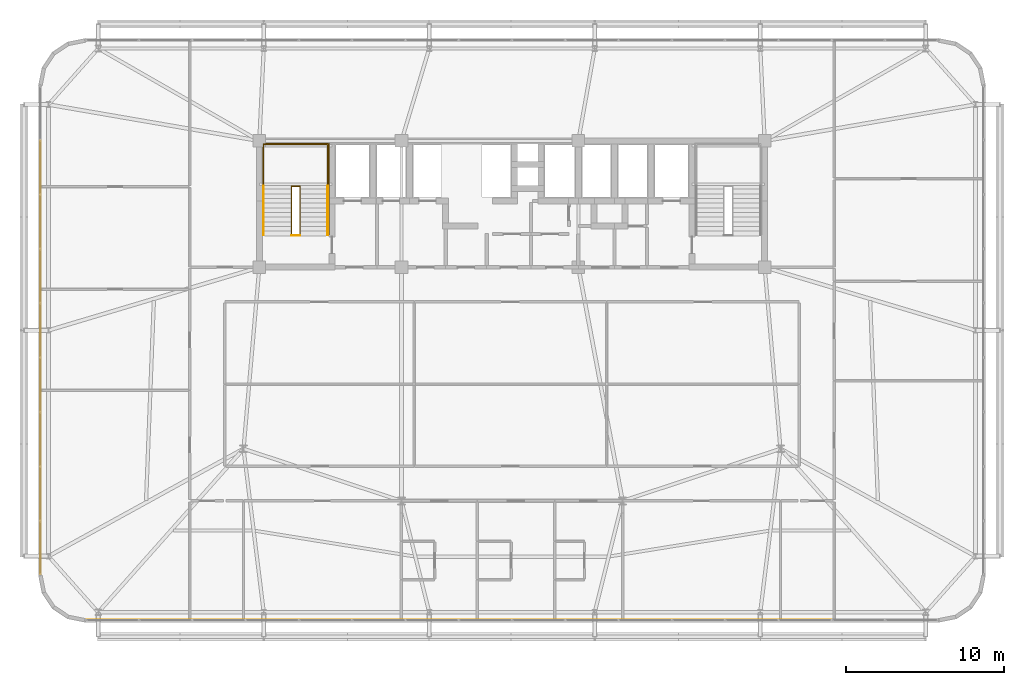
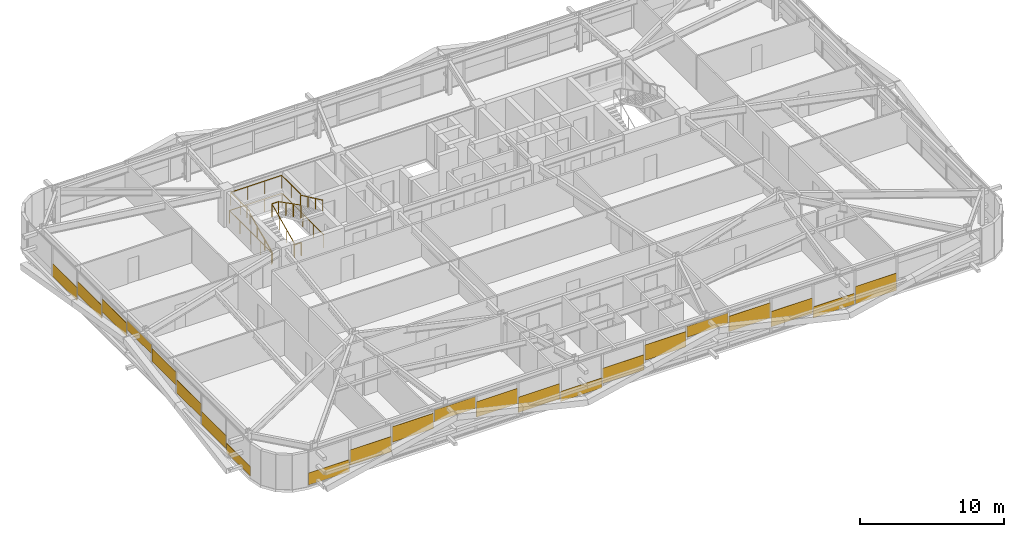
# One storey, part 57 of 59: 22 coverings, 6 railings.
"""IFC4 building model written with IfcOpenShell, lengths in metres."""

from ifc_helpers import new_model, si_unit, direction, frame, origin, origin_2d, place, context, subcontext, project, spatial, rectangle, extrude, source, transform, mapped, material, layer, layer_set, type_object, element, save


model = new_model("IFC4")

# Units and contexts
model_context = context("Model", 3, precision=1e-05, world=origin(), true_north=direction((0.0, 1.0)))
body_context = subcontext(model_context, "Body", "Model", "MODEL_VIEW")
ifc_project = project(units=[si_unit("LENGTHUNIT", "METRE"), si_unit("AREAUNIT", "SQUARE_METRE"), si_unit("VOLUMEUNIT", "CUBIC_METRE"), si_unit("PLANEANGLEUNIT", "RADIAN"), si_unit("MASSUNIT", "GRAM", prefix="KILO")], contexts=[model_context])

# Site, building, storey
site_placement = place(None, origin())
site = spatial("IfcSite", under=ifc_project, at=site_placement, CompositionType="ELEMENT")
building_placement = place(site_placement, origin())
building = spatial("IfcBuilding", under=site, at=building_placement, Name="Taldren Reach Tower", CompositionType="ELEMENT")
storey_placement = place(building_placement, frame((0.0, 0.0, 48.300048828125)))
storey = spatial("IfcBuildingStorey", under=building, at=storey_placement, Name="L14", CompositionType="ELEMENT", Elevation=48.300048828125)

# Railings
ifc_material_1 = material(Name="Steel Gr 350 (C350L0)", Category="steel")
ifc_layer_1 = layer(ifc_material_1, 0.050048828125)
ifc_layer_set_1 = layer_set([ifc_layer_1], Name="Steel Gr 350 (C350L0)")
railing_type_1 = type_object("IfcRailingType", Name="RL-STAIR-GR", PredefinedType="GUARDRAIL", material=ifc_layer_set_1)
railing_1_placement = place(storey_placement, frame((19.260009765625, 29.135009765625, 1.574951171875)))
element("IfcRailing", 1, at=railing_1_placement, inside=storey, type_object=railing_type_1, Name="Stair half-landing perimeter guard ST1-L14", PredefinedType="GUARDRAIL", context=body_context, shape_type="SweptSolid", body=[
    extrude(rectangle(XDim=0.047852, YDim=0.047852, at=origin_2d()), frame((0.0, 0.0, 1.09619140625), z_axis=(0.0, 1.0, 0.0), x_axis=(-1.0, 0.0, 0.0)), (0.0, 0.0, 1.0), 2.64501953125),
    extrude(rectangle(XDim=0.047852, YDim=0.047852, at=origin_2d()), frame((0.0, 2.64501953125, 1.09619140625), z_axis=(1.0, 0.0, 0.0), x_axis=(0.0, 1.0, 0.0)), (0.0, 0.0, 1.0), 4.080078125),
    extrude(rectangle(XDim=0.047852, YDim=0.047852, at=origin_2d()), frame((4.080078125, 2.64501953125, 1.09619140625), z_axis=(0.0, -1.0, 0.0), x_axis=(1.0, 0.0, 0.0)), (0.0, 0.0, 1.0), 2.64501953125),
    extrude(rectangle(XDim=0.041992, YDim=0.041992, at=origin_2d()), origin(), (0.0, 0.0, 1.0), 1.072021484375),
    extrude(rectangle(XDim=0.041992, YDim=0.041992, at=origin_2d()), frame((0.0, 1.322509765625, 0.0)), (0.0, 0.0, 1.0), 1.072021484375),
    extrude(rectangle(XDim=0.041992, YDim=0.041992, at=origin_2d()), frame((0.0, 2.64501953125, 0.0)), (0.0, 0.0, 1.0), 1.072021484375),
    extrude(rectangle(XDim=0.041992, YDim=0.041992, at=origin_2d()), frame((1.360107421875, 2.64501953125, 0.0)), (0.0, 0.0, 1.0), 1.072021484375),
    extrude(rectangle(XDim=0.041992, YDim=0.041992, at=origin_2d()), frame((2.719970703125, 2.64501953125, 0.0)), (0.0, 0.0, 1.0), 1.072021484375),
    extrude(rectangle(XDim=0.041992, YDim=0.041992, at=origin_2d()), frame((4.080078125, 2.64501953125, 0.0)), (0.0, 0.0, 1.0), 1.072021484375),
    extrude(rectangle(XDim=0.041992, YDim=0.041992, at=origin_2d()), frame((4.080078125, 1.322509765625, 0.0)), (0.0, 0.0, 1.0), 1.072021484375),
    extrude(rectangle(XDim=0.041992, YDim=0.041992, at=origin_2d()), frame((4.080078125, 0.0, 0.0)), (0.0, 0.0, 1.0), 1.072021484375),
])
railing_2_placement = place(storey_placement, frame((21.030029296875, 26.050048828125, 0.131103515625)))
element("IfcRailing", 2, at=railing_2_placement, inside=storey, type_object=railing_type_1, Name="Stairwell inner guard ST1-L14", PredefinedType="GUARDRAIL", context=body_context, shape_type="SweptSolid", body=[
    extrude(rectangle(XDim=0.047852, YDim=0.047852, at=origin_2d()), frame((0.0, 0.0, 1.09619140625), z_axis=(0.0, 0.905710134349, 0.423897573167), x_axis=(-1.0, 0.0, 0.0)), (0.0, 0.0, 1.0), 3.406005859375),
    extrude(rectangle(XDim=0.047852, YDim=0.047852, at=origin_2d()), frame((0.0, 3.0849609375, 2.5400390625), z_axis=(1.0, 0.0, 0.0), x_axis=(0.0, 1.0, 0.0)), (0.0, 0.0, 1.0), 0.5400390625),
    extrude(rectangle(XDim=0.047852, YDim=0.047852, at=origin_2d()), frame((0.5400390625, 3.0849609375, 2.5400390625), z_axis=(0.0, -0.890645957773, 0.45469745755), x_axis=(1.0, 0.0, 0.0)), (0.0, 0.0, 1.0), 3.463623046875),
    extrude(rectangle(XDim=0.041992, YDim=0.041992, at=origin_2d()), origin(), (0.0, 0.0, 1.0), 1.072021484375),
    extrude(rectangle(XDim=0.041992, YDim=0.041992, at=origin_2d()), frame((0.0, 1.0283203125, 0.481201171875)), (0.0, 0.0, 1.0), 1.072021484375),
    extrude(rectangle(XDim=0.041992, YDim=0.041992, at=origin_2d()), frame((0.0, 2.056640625, 0.962646484375)), (0.0, 0.0, 1.0), 1.072021484375),
    extrude(rectangle(XDim=0.041992, YDim=0.041992, at=origin_2d()), frame((0.0, 3.0849609375, 1.44384765625)), (0.0, 0.0, 1.0), 1.072021484375),
    extrude(rectangle(XDim=0.041992, YDim=0.041992, at=origin_2d()), frame((0.5400390625, 3.0849609375, 1.44384765625)), (0.0, 0.0, 1.0), 1.072021484375),
    extrude(rectangle(XDim=0.041992, YDim=0.041992, at=origin_2d()), frame((0.5400390625, 2.056640625, 1.96875)), (0.0, 0.0, 1.0), 1.072021484375),
    extrude(rectangle(XDim=0.041992, YDim=0.041992, at=origin_2d()), frame((0.5400390625, 1.0283203125, 2.493896484375)), (0.0, 0.0, 1.0), 1.072021484375),
    extrude(rectangle(XDim=0.041992, YDim=0.041992, at=origin_2d()), frame((0.5400390625, 0.0, 3.018798828125)), (0.0, 0.0, 1.0), 1.072021484375),
])
railing_3_placement = place(storey_placement, frame((21.030029296875, 26.010009765625, 0.0)))
element("IfcRailing", 3, at=railing_3_placement, inside=storey, type_object=railing_type_1, Name="Stairwell landing slot guard ST1-L14", PredefinedType="GUARDRAIL", context=body_context, shape_type="SweptSolid", body=[
    extrude(rectangle(XDim=0.047852, YDim=0.047852, at=origin_2d()), frame((0.0, 0.0, 1.09619140625), z_axis=(1.0, 0.0, 0.0), x_axis=(0.0, 1.0, 0.0)), (0.0, 0.0, 1.0), 0.5400390625),
    extrude(rectangle(XDim=0.041992, YDim=0.041992, at=origin_2d()), origin(), (0.0, 0.0, 1.0), 1.072021484375),
    extrude(rectangle(XDim=0.041992, YDim=0.041992, at=origin_2d()), frame((0.5400390625, 0.0, 0.0)), (0.0, 0.0, 1.0), 1.072021484375),
])
railing_4_placement = place(storey_placement, frame((19.18994140625, 26.050048828125, 0.0)))
element("IfcRailing", 4, at=railing_4_placement, inside=storey, type_object=railing_type_1, Name="Stairwell floor opening guard ST1-L14", PredefinedType="GUARDRAIL", context=body_context, shape_type="SweptSolid", body=[
    extrude(rectangle(XDim=0.047852, YDim=0.047852, at=origin_2d()), frame((0.0, 0.0, 1.09619140625), z_axis=(0.0, 1.0, 0.0), x_axis=(-1.0, 0.0, 0.0)), (0.0, 0.0, 1.0), 5.800048828125),
    extrude(rectangle(XDim=0.047852, YDim=0.047852, at=origin_2d()), frame((0.0, 5.800048828125, 1.09619140625), z_axis=(1.0, 0.0, 0.0), x_axis=(0.0, 1.0, 0.0)), (0.0, 0.0, 1.0), 4.219970703125),
    extrude(rectangle(XDim=0.047852, YDim=0.047852, at=origin_2d()), frame((4.219970703125, 5.800048828125, 1.09619140625), z_axis=(0.0, -1.0, 0.0), x_axis=(1.0, 0.0, 0.0)), (0.0, 0.0, 1.0), 5.800048828125),
    extrude(rectangle(XDim=0.041992, YDim=0.041992, at=origin_2d()), origin(), (0.0, 0.0, 1.0), 1.072021484375),
    extrude(rectangle(XDim=0.041992, YDim=0.041992, at=origin_2d()), frame((0.0, 1.449951171875, 0.0)), (0.0, 0.0, 1.0), 1.072021484375),
    extrude(rectangle(XDim=0.041992, YDim=0.041992, at=origin_2d()), frame((0.0, 2.89990234375, 0.0)), (0.0, 0.0, 1.0), 1.072021484375),
    extrude(rectangle(XDim=0.041992, YDim=0.041992, at=origin_2d()), frame((0.0, 4.35009765625, 0.0)), (0.0, 0.0, 1.0), 1.072021484375),
    extrude(rectangle(XDim=0.041992, YDim=0.041992, at=origin_2d()), frame((0.0, 5.800048828125, 0.0)), (0.0, 0.0, 1.0), 1.072021484375),
    extrude(rectangle(XDim=0.041992, YDim=0.041992, at=origin_2d()), frame((1.40673828125, 5.800048828125, 0.0)), (0.0, 0.0, 1.0), 1.072021484375),
    extrude(rectangle(XDim=0.041992, YDim=0.041992, at=origin_2d()), frame((2.813232421875, 5.800048828125, 0.0)), (0.0, 0.0, 1.0), 1.072021484375),
    extrude(rectangle(XDim=0.041992, YDim=0.041992, at=origin_2d()), frame((4.219970703125, 5.800048828125, 0.0)), (0.0, 0.0, 1.0), 1.072021484375),
    extrude(rectangle(XDim=0.041992, YDim=0.041992, at=origin_2d()), frame((4.219970703125, 4.35009765625, 0.0)), (0.0, 0.0, 1.0), 1.072021484375),
    extrude(rectangle(XDim=0.041992, YDim=0.041992, at=origin_2d()), frame((4.219970703125, 2.89990234375, 0.0)), (0.0, 0.0, 1.0), 1.072021484375),
    extrude(rectangle(XDim=0.041992, YDim=0.041992, at=origin_2d()), frame((4.219970703125, 1.449951171875, 0.0)), (0.0, 0.0, 1.0), 1.072021484375),
    extrude(rectangle(XDim=0.041992, YDim=0.041992, at=origin_2d()), frame((4.219970703125, 0.0, 0.0)), (0.0, 0.0, 1.0), 1.072021484375),
])
ifc_material_2 = material(Name="Stainless Steel Gr 316", Category="steel")
ifc_layer_2 = layer(ifc_material_2, 0.048095703125)
ifc_layer_set_2 = layer_set([ifc_layer_2], Name="Stainless Steel Gr 316")
railing_type_2 = type_object("IfcRailingType", Name="RL-STAIR-HR", PredefinedType="HANDRAIL", material=ifc_layer_set_2)
railing_5_placement = place(storey_placement, frame((19.27001953125, 26.050048828125, 0.131103515625)))
element("IfcRailing", 5, at=railing_5_placement, inside=storey, type_object=railing_type_2, Name="Stair flight handrail ST1-L14-1", PredefinedType="HANDRAIL", context=body_context, shape_type="SweptSolid", body=[
    extrude(rectangle(XDim=0.047852, YDim=0.047852, at=origin_2d()), frame((0.0, 0.0, 0.89599609375), z_axis=(0.0, 0.905710134349, 0.423897573167), x_axis=(-1.0, 0.0, 0.0)), (0.0, 0.0, 1.0), 3.406005859375),
    extrude(rectangle(XDim=0.041992, YDim=0.041992, at=origin_2d()), origin(), (0.0, 0.0, 1.0), 0.871826171875),
    extrude(rectangle(XDim=0.041992, YDim=0.041992, at=origin_2d()), frame((0.0, 1.0283203125, 0.481201171875)), (0.0, 0.0, 1.0), 0.871826171875),
    extrude(rectangle(XDim=0.041992, YDim=0.041992, at=origin_2d()), frame((0.0, 2.056640625, 0.962646484375)), (0.0, 0.0, 1.0), 0.871826171875),
    extrude(rectangle(XDim=0.041992, YDim=0.041992, at=origin_2d()), frame((0.0, 3.0849609375, 1.44384765625)), (0.0, 0.0, 1.0), 0.871826171875),
])
railing_6_placement = place(storey_placement, frame((23.330078125, 29.135009765625, 1.706298828125)))
element("IfcRailing", 6, at=railing_6_placement, inside=storey, type_object=railing_type_2, Name="Stair flight handrail ST1-L14-2", PredefinedType="HANDRAIL", context=body_context, shape_type="SweptSolid", body=[
    extrude(rectangle(XDim=0.047852, YDim=0.047852, at=origin_2d()), frame((0.0, 0.0, 0.89599609375), z_axis=(0.0, -0.905737652094, 0.423838773095), x_axis=(1.0, 0.0, 0.0)), (0.0, 0.0, 1.0), 3.406005859375),
    extrude(rectangle(XDim=0.041992, YDim=0.041992, at=origin_2d()), origin(), (0.0, 0.0, 1.0), 0.871826171875),
    extrude(rectangle(XDim=0.041992, YDim=0.041992, at=origin_2d()), frame((0.0, -1.0283203125, 0.481201171875)), (0.0, 0.0, 1.0), 0.871826171875),
    extrude(rectangle(XDim=0.041992, YDim=0.041992, at=origin_2d()), frame((0.0, -2.056640625, 0.96240234375)), (0.0, 0.0, 1.0), 0.871826171875),
    extrude(rectangle(XDim=0.041992, YDim=0.041992, at=origin_2d()), frame((0.0, -3.0849609375, 1.443603515625)), (0.0, 0.0, 1.0), 0.871826171875),
])

# Coverings
ifc_material_3 = material(Name="Pale Champagne Fluoropolymer Aluminium Spandrel Cladding", Category="aluminium")
ifc_layer_3 = layer(ifc_material_3, 0.0439453125)
ifc_layer_set_3 = layer_set([ifc_layer_3], Name="Pale Champagne Fluoropolymer Aluminium Spandrel Cladding")
covering_type = type_object("IfcCoveringType", Name="CV-CLAD-044", PredefinedType="CLADDING", material=ifc_layer_set_3)
shared_shape_1 = source(origin(), body_context, "Body", "SweptSolid", [
    extrude(rectangle(XDim=3.31005859375, YDim=0.0439453125, at=origin_2d()), origin(), (0.0, 0.0, 1.0), 1.301025390625),
])
for number, where, z_axis, x_axis, name in (
    (7, (13.0625, 1.639892578125, 0.5576171875), (0.0, 0.0, 1.0), (1.0, 0.0, 0.0), "Diagrid closure cladding strip CW-2 panel 2.1 1"),
    (8, (16.4375, 1.639892578125, 1.34033203125), (0.0, 0.0, 1.0), (1.0, 0.0, 0.0), "Diagrid closure cladding strip CW-2 panel 3.1 1"),
    (9, (23.1875, 1.639892578125, 1.09326171875), (0.0, 0.0, 1.0), (1.0, 0.0, 0.0), "Diagrid closure cladding strip CW-2 panel 5.1 1"),
    (10, (26.5625, 1.639892578125, 0.31103515625), (0.0, 0.0, 1.0), (1.0, 0.0, 0.0), "Diagrid closure cladding strip CW-2 panel 6.1 1"),
    (11, (33.3125, 1.639892578125, 0.39306640625), (0.0, 0.0, 1.0), (1.0, 0.0, 0.0), "Diagrid closure cladding strip CW-2 panel 8.1 1"),
    (12, (36.6875, 1.639892578125, 1.17578125), (0.0, 0.0, 1.0), (1.0, 0.0, 0.0), "Diagrid closure cladding strip CW-2 panel 9.1 1"),
    (13, (43.4375, 1.639892578125, 1.2578125), (0.0, 0.0, 1.0), (1.0, 0.0, 0.0), "Diagrid closure cladding strip CW-2 panel 11.1 1"),
    (14, (46.8125, 1.639892578125, 0.4755859375), (0.0, 0.0, 1.0), (1.0, 0.0, 0.0), "Diagrid closure cladding strip CW-2 panel 12.1 1"),
):
    element("IfcCovering", number, at=place(storey_placement, frame(where, z_axis=z_axis, x_axis=x_axis)), inside=storey, type_object=covering_type, Name=name, PredefinedType="CLADDING", context=body_context, shape_type="MappedRepresentation", body=[
        mapped(shared_shape_1, transform((0.0, 0.0, 0.0), scale=1.0)),
    ])
shared_shape_2 = source(origin(), body_context, "Body", "SweptSolid", [
    extrude(rectangle(XDim=3.31005859375, YDim=0.0439453125, at=origin_2d()), origin(), (0.0, 0.0, 1.0), 1.474609375),
])
covering_1_placement = place(storey_placement, frame((53.5625, 1.639892578125, 0.054931640625), z_axis=(0.0, 0.0, 1.0), x_axis=(1.0, 0.0, 0.0)))
element("IfcCovering", 15, at=covering_1_placement, inside=storey, type_object=covering_type, Name="Diagrid closure cladding strip CW-2 panel 14.1 1", PredefinedType="CLADDING", context=body_context, shape_type="MappedRepresentation", body=[
    mapped(shared_shape_2, transform((0.0, 0.0, 0.0), scale=1.0)),
])
shared_shape_3 = source(origin(), body_context, "Body", "SweptSolid", [
    extrude(rectangle(XDim=3.31005859375, YDim=0.0439453125, at=origin_2d()), origin(), (0.0, 0.0, 1.0), 0.93896484375),
])
covering_2_placement = place(storey_placement, frame((50.1875, 1.639892578125, 0.054931640625), z_axis=(0.0, 0.0, 1.0), x_axis=(1.0, 0.0, 0.0)))
element("IfcCovering", 16, at=covering_2_placement, inside=storey, type_object=covering_type, Name="Diagrid closure cladding strip CW-2 panel 13.1 1", PredefinedType="CLADDING", context=body_context, shape_type="MappedRepresentation", body=[
    mapped(shared_shape_3, transform((0.0, 0.0, 0.0), scale=1.0)),
])
shared_shape_4 = source(origin(), body_context, "Body", "SweptSolid", [
    extrude(rectangle(XDim=3.31005859375, YDim=0.0439453125, at=origin_2d()), origin(), (0.0, 0.0, 1.0), 0.916748046875),
])
covering_3_placement = place(storey_placement, frame((40.0625, 1.639892578125, 1.9580078125), z_axis=(0.0, 0.0, 1.0), x_axis=(1.0, 0.0, 0.0)))
element("IfcCovering", 17, at=covering_3_placement, inside=storey, type_object=covering_type, Name="Diagrid closure cladding strip CW-2 panel 10.1 1", PredefinedType="CLADDING", context=body_context, shape_type="MappedRepresentation", body=[
    mapped(shared_shape_4, transform((0.0, 0.0, 0.0), scale=1.0)),
])
shared_shape_5 = source(origin(), body_context, "Body", "SweptSolid", [
    extrude(rectangle(XDim=3.31005859375, YDim=0.0439453125, at=origin_2d()), origin(), (0.0, 0.0, 1.0), 0.856689453125),
])
covering_4_placement = place(storey_placement, frame((29.9375, 1.639892578125, 0.05517578125), z_axis=(0.0, 0.0, 1.0), x_axis=(1.0, 0.0, 0.0)))
element("IfcCovering", 18, at=covering_4_placement, inside=storey, type_object=covering_type, Name="Diagrid closure cladding strip CW-2 panel 7.1 1", PredefinedType="CLADDING", context=body_context, shape_type="MappedRepresentation", body=[
    mapped(shared_shape_5, transform((0.0, 0.0, 0.0), scale=1.0)),
])
shared_shape_6 = source(origin(), body_context, "Body", "SweptSolid", [
    extrude(rectangle(XDim=3.31005859375, YDim=0.0439453125, at=origin_2d()), origin(), (0.0, 0.0, 1.0), 0.9990234375),
])
covering_5_placement = place(storey_placement, frame((19.8125, 1.639892578125, 1.8759765625), z_axis=(0.0, 0.0, 1.0), x_axis=(1.0, 0.0, 0.0)))
element("IfcCovering", 19, at=covering_5_placement, inside=storey, type_object=covering_type, Name="Diagrid closure cladding strip CW-2 panel 4.1 1", PredefinedType="CLADDING", context=body_context, shape_type="MappedRepresentation", body=[
    mapped(shared_shape_6, transform((0.0, 0.0, 0.0), scale=1.0)),
])
shared_shape_7 = source(origin(), body_context, "Body", "SweptSolid", [
    extrude(rectangle(XDim=3.277587890625, YDim=0.0439453125, at=origin_2d()), origin(), (0.0, 0.0, 1.0), 1.021240234375),
])
covering_6_placement = place(storey_placement, frame((9.703857421875, 1.639892578125, 0.05517578125), z_axis=(0.0, 0.0, 1.0), x_axis=(1.0, 0.0, 0.0)))
element("IfcCovering", 20, at=covering_6_placement, inside=storey, type_object=covering_type, Name="Diagrid closure cladding strip CW-2 panel 1.1 1", PredefinedType="CLADDING", context=body_context, shape_type="MappedRepresentation", body=[
    mapped(shared_shape_7, transform((0.0, 0.0, 0.0), scale=1.0)),
])
shared_shape_8 = source(origin(), body_context, "Body", "SweptSolid", [
    extrude(rectangle(XDim=3.37939453125, YDim=0.0439453125, at=origin_2d()), origin(), (0.0, 0.0, 1.0), 1.1015625),
])
for number, where, z_axis, x_axis, name in (
    (21, (5.139892578125, 30.333251953125, 0.34326171875), (0.0, 0.0, 1.0), (0.0, -1.0, 0.0), "Diagrid closure cladding strip CW-2 panel 2.1 1"),
    (22, (5.139892578125, 26.888916015625, 0.928466796875), (0.0, 0.0, 1.0), (0.0, -1.0, 0.0), "Diagrid closure cladding strip CW-2 panel 3.1 1"),
    (23, (5.139892578125, 23.4443359375, 1.513916015625), (0.0, 0.0, 1.0), (0.0, -1.0, 0.0), "Diagrid closure cladding strip CW-2 panel 4.1 1"),
    (24, (5.139892578125, 16.5556640625, 1.513916015625), (0.0, 0.0, 1.0), (0.0, -1.0, 0.0), "Diagrid closure cladding strip CW-2 panel 6.1 1"),
    (25, (5.139892578125, 13.111083984375, 0.928466796875), (0.0, 0.0, 1.0), (0.0, -1.0, 0.0), "Diagrid closure cladding strip CW-2 panel 7.1 1"),
    (26, (5.139892578125, 9.666748046875, 0.34326171875), (0.0, 0.0, 1.0), (0.0, -1.0, 0.0), "Diagrid closure cladding strip CW-2 panel 8.1 1"),
):
    element("IfcCovering", number, at=place(storey_placement, frame(where, z_axis=z_axis, x_axis=x_axis)), inside=storey, type_object=covering_type, Name=name, PredefinedType="CLADDING", context=body_context, shape_type="MappedRepresentation", body=[
        mapped(shared_shape_8, transform((0.0, 0.0, 0.0), scale=1.0)),
    ])
shared_shape_9 = source(origin(), body_context, "Body", "SweptSolid", [
    extrude(rectangle(XDim=3.346923828125, YDim=0.0439453125, at=origin_2d()), origin(), (0.0, 0.0, 1.0), 0.804443359375),
])
covering_7_placement = place(storey_placement, frame((5.139892578125, 6.238525390625, 0.05517578125), z_axis=(0.0, 0.0, 1.0), x_axis=(0.0, -1.0, 0.0)))
element("IfcCovering", 27, at=covering_7_placement, inside=storey, type_object=covering_type, Name="Diagrid closure cladding strip CW-2 panel 9.1 1", PredefinedType="CLADDING", context=body_context, shape_type="MappedRepresentation", body=[
    mapped(shared_shape_9, transform((0.0, 0.0, 0.0), scale=1.0)),
])
shared_shape_10 = source(origin(), body_context, "Body", "SweptSolid", [
    extrude(rectangle(XDim=3.37939453125, YDim=0.0439453125, at=origin_2d()), origin(), (0.0, 0.0, 1.0), 0.77587890625),
])
covering_8_placement = place(storey_placement, frame((5.139892578125, 20.0, 2.09912109375), z_axis=(0.0, 0.0, 1.0), x_axis=(0.0, -1.0, 0.0)))
element("IfcCovering", 28, at=covering_8_placement, inside=storey, type_object=covering_type, Name="Diagrid closure cladding strip CW-2 panel 5.1 1", PredefinedType="CLADDING", context=body_context, shape_type="MappedRepresentation", body=[
    mapped(shared_shape_10, transform((0.0, 0.0, 0.0), scale=1.0)),
])

save(model, "model.ifc")
